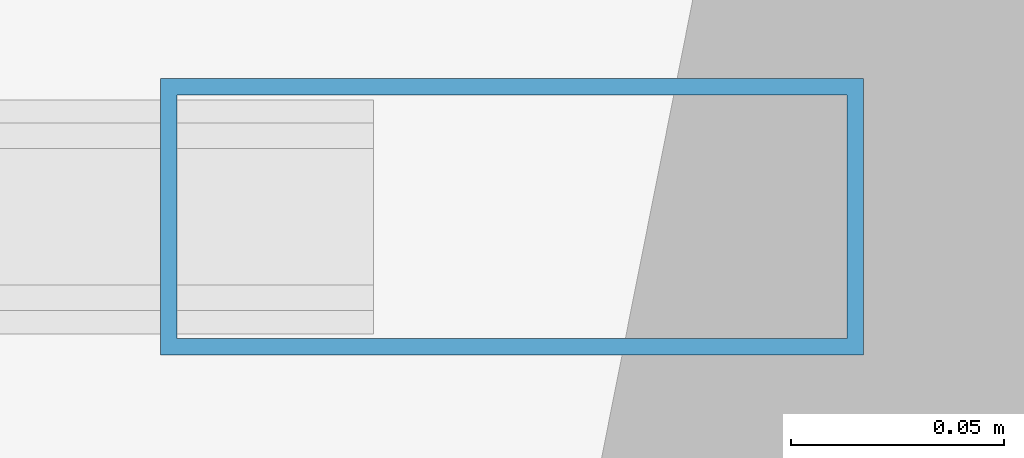
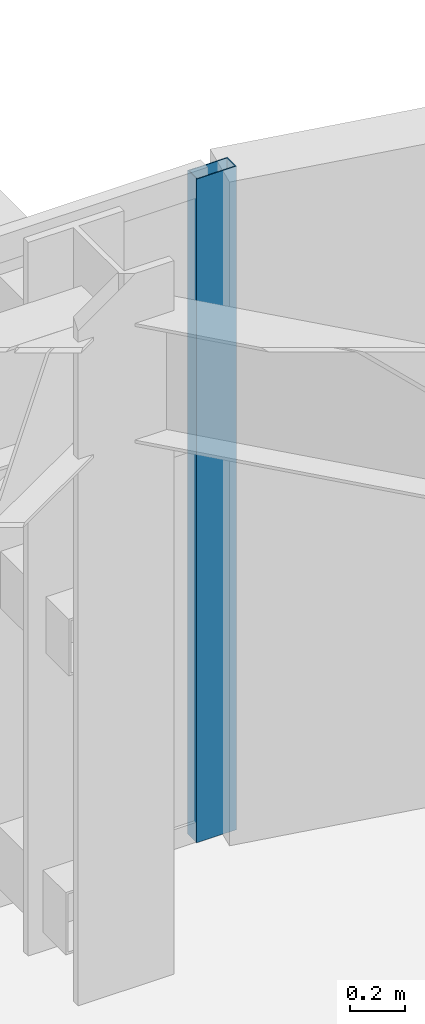
# One storey, part 32 of 56: 1 member, 1 element without a shape of its own.
"""IFC4 building model written with IfcOpenShell, lengths in metres."""

from ifc_helpers import new_model, si_unit, direction, frame, origin, origin_2d, place, context, subcontext, project, spatial, hollow_rectangle, extrude, source, transform, mapped, material, layer, layer_set, material_profile, profile_set, type_object, element, aggregate, save


model = new_model("IFC4")

# Units and contexts
model_context = context("Model", 3, precision=1e-05, world=origin(), true_north=direction((0.0, 1.0)))
body_context = subcontext(model_context, "Body", "Model", "MODEL_VIEW")
ifc_project = project(units=[si_unit("LENGTHUNIT", "METRE"), si_unit("AREAUNIT", "SQUARE_METRE"), si_unit("VOLUMEUNIT", "CUBIC_METRE"), si_unit("PLANEANGLEUNIT", "RADIAN"), si_unit("MASSUNIT", "GRAM", prefix="KILO")], contexts=[model_context])

# Site, building, storey
site_placement = place(None, origin())
site = spatial("IfcSite", under=ifc_project, at=site_placement, CompositionType="ELEMENT")
building_placement = place(site_placement, origin())
building = spatial("IfcBuilding", under=site, at=building_placement, Name="Taldren Reach Tower", CompositionType="ELEMENT")
storey_placement = place(building_placement, frame((0.0, 0.0, 16.800048828125)))
storey = spatial("IfcBuildingStorey", under=building, at=storey_placement, Name="L04", CompositionType="ELEMENT", Elevation=16.800048828125)

# Curtain wall, member
ifc_material_1 = material(Name="Aluminium and Low-E Glass Unitised System", Category="aluminium")
ifc_layer = layer(ifc_material_1, 0.159912109375)
ifc_layer_set = layer_set([ifc_layer], Name="Aluminium and Low-E Glass Unitised System")
curtain_wall_type = type_object("IfcCurtainWallType", Name="CW-SYS-2", PredefinedType="NOTDEFINED", material=ifc_layer_set)
curtain_wall_placement = place(storey_placement, origin())
curtain_wall = element("IfcCurtainWall", 1, at=curtain_wall_placement, inside=storey, type_object=curtain_wall_type, Name="Unitised curtain wall CW-L04-N", PredefinedType="NOTDEFINED")
ifc_material_2 = material(Name="Anodised Aluminium 6063-T6", Category="aluminium")
ifc_material_profile = material_profile(ifc_material_2, hollow_rectangle(XDim=0.06494140625, YDim=0.1650390625, WallThickness=0.00390625, at=origin_2d()), Name="ALU-165x65x4RHS")
ifc_profile_set = profile_set([ifc_material_profile], Name="Anodised Aluminium 6063-T6")
member_type = type_object("IfcMemberType", Name="CW-MUL-165", PredefinedType="MULLION", material=ifc_profile_set)
shared_shape = source(origin(), body_context, "Body", "SweptSolid", [
    extrude(hollow_rectangle(XDim=0.06494140625, YDim=0.1650390625, WallThickness=0.00390625, at=origin_2d()), origin(), (0.0, 0.0, 1.0), 2.929931640625),
])
member_placement = place(storey_placement, frame((61.967529296875, 38.360107421875, 0.0), z_axis=(0.0, 0.0, 1.0), x_axis=(0.0, -1.0, 0.0)))
member = element("IfcMember", 2, at=member_placement, type_object=member_type, Name="CW-2 mullion 1", PredefinedType="MULLION", context=body_context, shape_type="MappedRepresentation", body=[
    mapped(shared_shape, transform((0.0, 0.0, 0.0), scale=1.0)),
])
aggregate(curtain_wall, [member])

save(model, "model.ifc")
